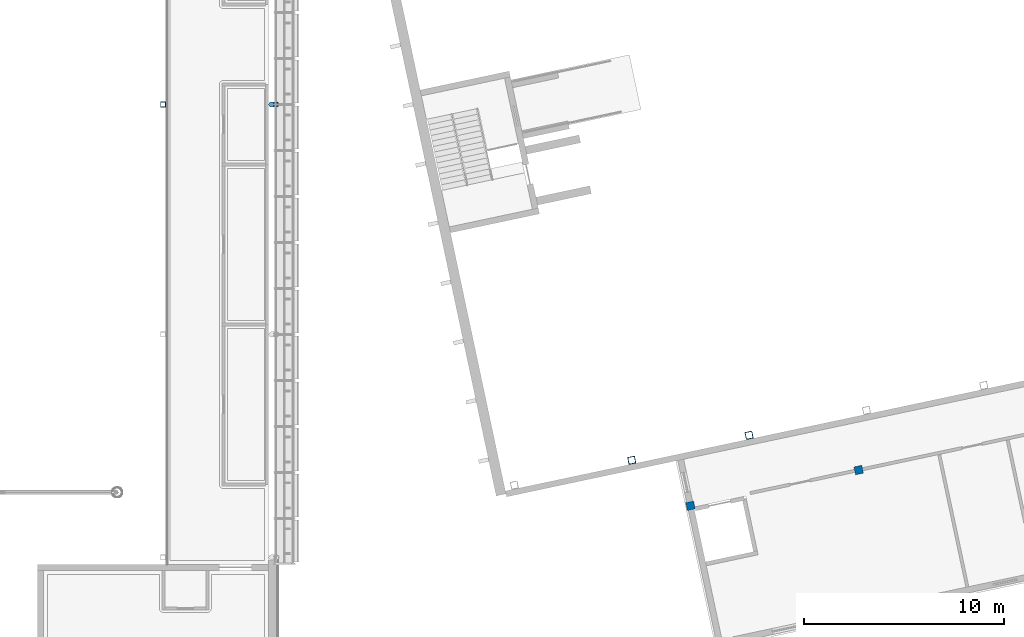
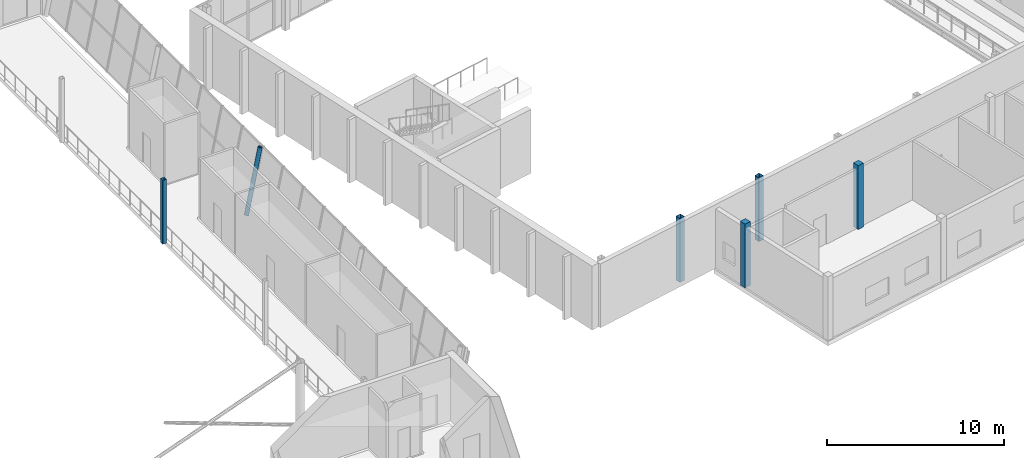
# One storey, part 21 of 115: 6 columns.
"""IFC4 building model written with IfcOpenShell, lengths in metres."""

from ifc_helpers import new_model, si_unit, direction, frame, origin, origin_2d, place, context, subcontext, project, spatial, rectangle, hollow_rectangle, hollow_circle, extrude, material, material_profile, profile_set, type_object, element, save


model = new_model("IFC4")

# Units and contexts
model_context = context("Model", 3, precision=1e-05, world=origin(), true_north=direction((0.0, 1.0)))
body_context = subcontext(model_context, "Body", "Model", "MODEL_VIEW")
ifc_project = project(units=[si_unit("LENGTHUNIT", "METRE"), si_unit("AREAUNIT", "SQUARE_METRE"), si_unit("VOLUMEUNIT", "CUBIC_METRE"), si_unit("PLANEANGLEUNIT", "RADIAN"), si_unit("MASSUNIT", "GRAM", prefix="KILO")], contexts=[model_context])

# Site, building, storey
site_placement = place(None, origin())
site = spatial("IfcSite", under=ifc_project, at=site_placement, CompositionType="ELEMENT")
building_placement = place(site_placement, origin())
building = spatial("IfcBuilding", under=site, at=building_placement, Name="Windward Yard Aquatics Centre", CompositionType="ELEMENT")
storey_placement = place(building_placement, frame((0.0, 0.0, 5.0)))
storey = spatial("IfcBuildingStorey", under=building, at=storey_placement, Name="L01", CompositionType="ELEMENT", Elevation=5.0)

# Columns
ifc_material_1 = material(Name="Steel ASTM A500 Gr C", Category="steel")
ifc_material_profile_1 = material_profile(ifc_material_1, hollow_rectangle(XDim=0.355712890625, YDim=0.355712890625, WallThickness=0.015869140625, InnerFilletRadius=0.008056640625, OuterFilletRadius=0.02392578125, at=origin_2d()), Name="HSS356X356X15.9")
ifc_profile_set_1 = profile_set([ifc_material_profile_1], Name="Steel ASTM A500 Gr C")
column_type_1 = type_object("IfcColumnType", Name="D column HSS356X356X15.9", PredefinedType="COLUMN", material=ifc_profile_set_1)
for number, where, z_axis, x_axis, name in (
    (1, (169.72607421875, 43.208984375, 0.0), (0.0, 0.0, 1.0), (0.978147600734, 0.207911690818, 0.0), "D.COL.2.1.3"),
    (2, (175.594970703125, 44.45654296875, 0.0), (0.0, 0.0, 1.0), (0.978147600734, 0.207911690818, 0.0), "D.COL.3.1.3"),
):
    element("IfcColumn", number, at=place(storey_placement, frame(where, z_axis=z_axis, x_axis=x_axis)), inside=storey, type_object=column_type_1, Name=name, PredefinedType="COLUMN", context=body_context, shape_type="SweptSolid", body=[
        extrude(hollow_rectangle(XDim=0.355712890625, YDim=0.355712890625, WallThickness=0.015869140625, InnerFilletRadius=0.008056640625, OuterFilletRadius=0.02392578125, at=origin_2d()), origin(), (0.0, 0.0, 1.0), 4.39990234375),
    ])
ifc_material_2 = material(Name="Concrete C35/45", Category="concrete")
ifc_material_profile_2 = material_profile(ifc_material_2, rectangle(XDim=0.39990234375, YDim=0.39990234375, at=origin_2d()), Name="RC 400X400")
ifc_profile_set_2 = profile_set([ifc_material_profile_2], Name="Concrete C35/45")
column_type_2 = type_object("IfcColumnType", Name="D column RC 400X400", PredefinedType="COLUMN", material=ifc_profile_set_2)
for number, where, z_axis, x_axis, name in (
    (3, (172.6640625, 40.93017578125, 0.0), (0.0, 0.0, 1.0), (0.978147600734, 0.207911690818, 0.0), "D.COL.L01.1.2"),
    (4, (181.076171875, 42.71826171875, 0.0), (0.0, 0.0, 1.0), (0.978147600734, 0.207911690818, 0.0), "D.COL.L01.2.2"),
):
    element("IfcColumn", number, at=place(storey_placement, frame(where, z_axis=z_axis, x_axis=x_axis)), inside=storey, type_object=column_type_2, Name=name, PredefinedType="COLUMN", context=body_context, shape_type="SweptSolid", body=[
        extrude(rectangle(XDim=0.39990234375, YDim=0.39990234375, at=origin_2d()), origin(), (0.0, 0.0, 1.0), 4.39990234375),
    ])
ifc_material_profile_3 = material_profile(ifc_material_1, hollow_rectangle(XDim=0.25390625, YDim=0.25390625, WallThickness=0.015869140625, InnerFilletRadius=0.008056640625, OuterFilletRadius=0.02392578125, at=origin_2d()), Name="HSS254X254X15.9")
ifc_profile_set_3 = profile_set([ifc_material_profile_3], Name="Steel ASTM A500 Gr C")
column_type_3 = type_object("IfcColumnType", Name="H inner column HSS254X254X15.9", PredefinedType="COLUMN", material=ifc_profile_set_3)
column_1_placement = place(storey_placement, frame((146.290283203125, 61.0, 0.0), z_axis=(0.0, 0.0, 1.0), x_axis=(1.0, 0.0, 0.0)))
element("IfcColumn", 5, at=column_1_placement, inside=storey, type_object=column_type_3, Name="H.IC.E3.L01", PredefinedType="COLUMN", context=body_context, shape_type="SweptSolid", body=[
    extrude(hollow_rectangle(XDim=0.25390625, YDim=0.25390625, WallThickness=0.015869140625, InnerFilletRadius=0.008056640625, OuterFilletRadius=0.02392578125, at=origin_2d()), origin(), (0.0, 0.0, 1.0), 4.39990234375),
])
ifc_material_profile_4 = material_profile(ifc_material_1, hollow_circle(Radius=0.136474609375, WallThickness=0.0126953125, at=origin_2d()), Name="HSS273.1X12.7")
ifc_profile_set_4 = profile_set([ifc_material_profile_4], Name="Steel ASTM A500 Gr C")
column_type_4 = type_object("IfcColumnType", Name="H tier 1 leg HSS273.1X12.7", PredefinedType="COLUMN", material=ifc_profile_set_4)
column_2_placement = place(storey_placement, frame((151.70556640625, 61.0, 0.02734375), z_axis=(0.19937683017, 0.0, 0.979922894717), x_axis=(0.0, 1.0, 0.0)))
element("IfcColumn", 6, at=column_2_placement, inside=storey, type_object=column_type_4, Name="H.TL.E3.T1A.L01", PredefinedType="COLUMN", context=body_context, shape_type="SweptSolid", body=[
    extrude(hollow_circle(Radius=0.136474609375, WallThickness=0.0126953125, at=origin_2d()), origin(), (0.0, 0.0, 1.0), 4.462158203125),
])

save(model, "model.ifc")
